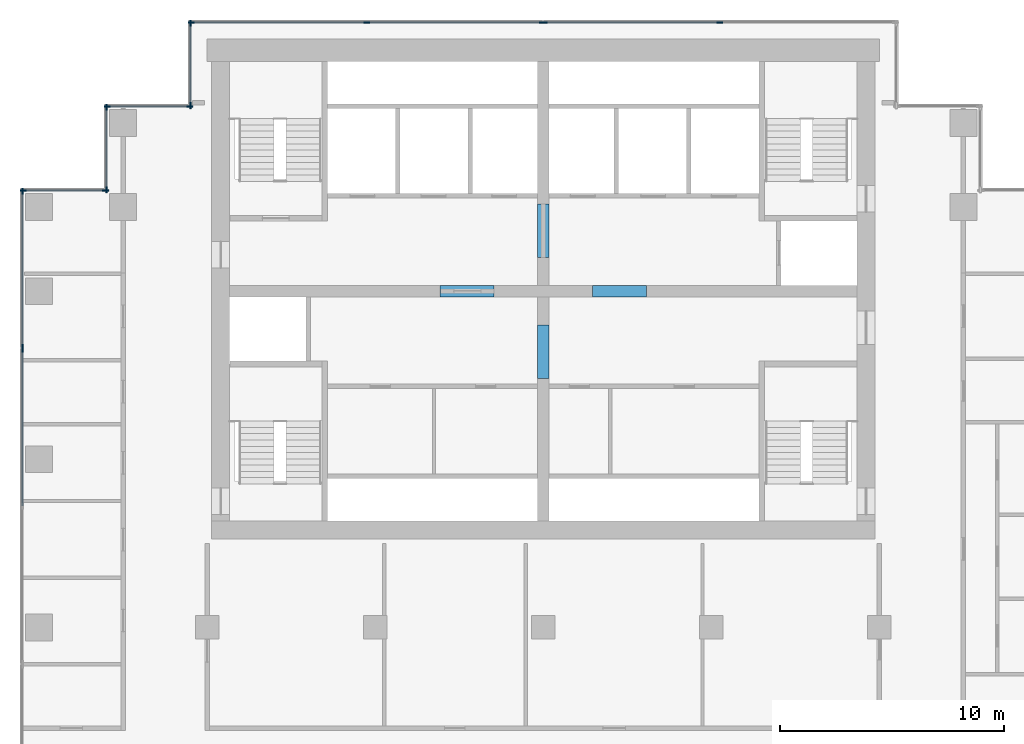
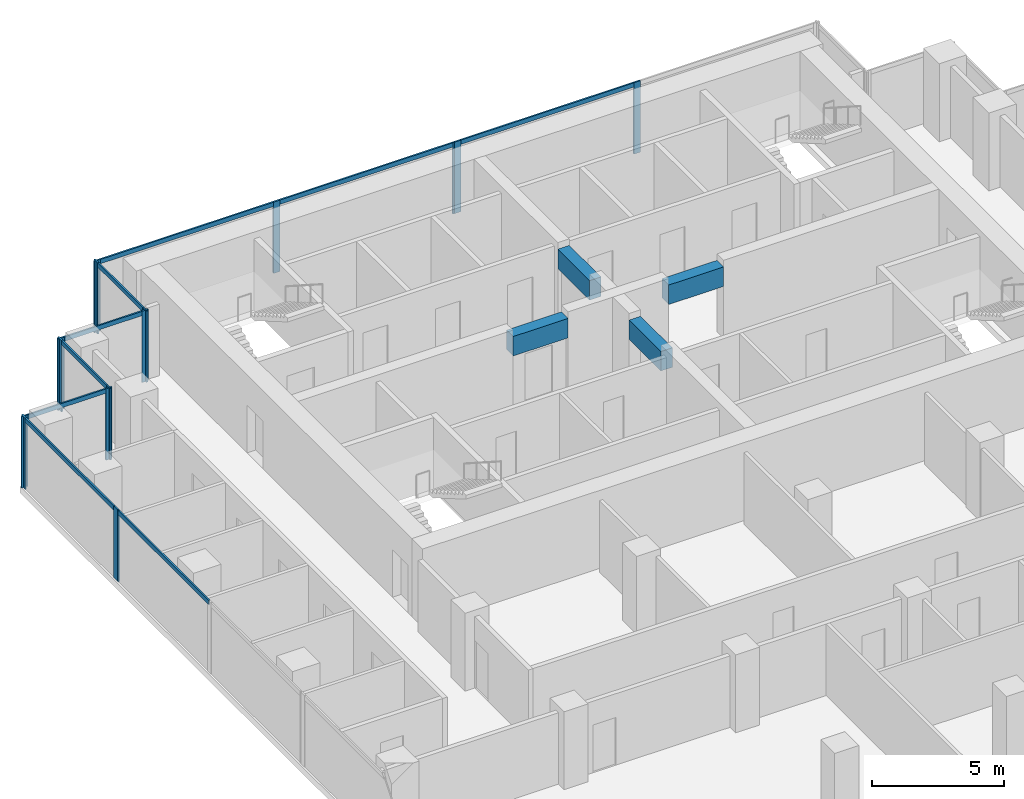
# One storey, part 4 of 10: 25 members, 4 beams, 8 elements without a shape of their own.
"""IFC4 building model written with IfcOpenShell, lengths in metres."""

from ifc_helpers import new_model, si_unit, direction, frame, origin, origin_2d, place, context, subcontext, project, spatial, rectangle, extrude, material, material_profile, profile_set, type_object, element, aggregate, save


model = new_model("IFC4")

# Units and contexts
model_context = context("Model", 3, precision=1e-05, world=origin(), true_north=direction((0.0, 1.0)))
body_context = subcontext(model_context, "Body", "Model", "MODEL_VIEW")
ifc_project = project(units=[si_unit("LENGTHUNIT", "METRE"), si_unit("AREAUNIT", "SQUARE_METRE"), si_unit("VOLUMEUNIT", "CUBIC_METRE"), si_unit("PLANEANGLEUNIT", "RADIAN"), si_unit("MASSUNIT", "GRAM", prefix="KILO")], contexts=[model_context])

# Site, building, storey
site_placement = place(None, origin())
site = spatial("IfcSite", under=ifc_project, at=site_placement, CompositionType="ELEMENT")
building_placement = place(site_placement, origin())
building = spatial("IfcBuilding", under=site, at=building_placement, Name="Pilkhan Gate Tower", CompositionType="ELEMENT")
storey_placement = place(building_placement, frame((0.0, 0.0, 165.699951171875)))
storey = spatial("IfcBuildingStorey", under=building, at=storey_placement, Name="L42", CompositionType="ELEMENT", Elevation=165.699951171875)

# Beams
ifc_material_1 = material(Name="Concrete C60/75", Category="concrete")
ifc_material_profile_1 = material_profile(ifc_material_1, rectangle(XDim=0.5, YDim=0.89990234375, at=origin_2d()), Name="RC 500x900")
ifc_profile_set_1 = profile_set([ifc_material_profile_1], Name="Concrete C60/75")
beam_type = type_object("IfcBeamType", Name="Coupling beam CB90 RC 500x900 C60/75", PredefinedType="LINTEL", material=ifc_profile_set_1)
for number, where, z_axis, x_axis, name in (
    (1, (70.39990234375, 82.5, 2.85009765625), (1.0, 0.0, 0.0), (0.0, 1.0, 0.0), "Coupling beam 1 L42"),
    (2, (77.199951171875, 82.5, 2.85009765625), (1.0, 0.0, 0.0), (0.0, 1.0, 0.0), "Coupling beam 2 L42"),
):
    element("IfcBeam", number, at=place(storey_placement, frame(where, z_axis=z_axis, x_axis=x_axis)), inside=storey, type_object=beam_type, Name=name, PredefinedType="LINTEL", context=body_context, shape_type="SweptSolid", body=[
        extrude(rectangle(XDim=0.5, YDim=0.89990234375, at=origin_2d()), origin(), (0.0, 0.0, 1.0), 2.400146484375),
    ])
for number, where, z_axis, x_axis, name in (
    (3, (75.0, 78.60009765625, 2.85009765625), (0.0, 1.0, 0.0), (-1.0, 0.0, 0.0), "Coupling beam 3 L42"),
    (4, (75.0, 84.0, 2.85009765625), (0.0, 1.0, 0.0), (-1.0, 0.0, 0.0), "Coupling beam 4 L42"),
):
    element("IfcBeam", number, at=place(storey_placement, frame(where, z_axis=z_axis, x_axis=x_axis)), inside=storey, type_object=beam_type, Name=name, PredefinedType="LINTEL", context=body_context, shape_type="SweptSolid", body=[
        extrude(rectangle(XDim=0.5, YDim=0.89990234375, at=origin_2d()), origin(), (0.0, 0.0, 1.0), 2.39990234375),
    ])

# Curtain wall, members
ifc_material_2 = material(Name="Pale anodised aluminium, clear low-iron double glazing", Category="aluminium")
curtain_wall_type = type_object("IfcCurtainWallType", Name="Office unitised curtain wall CW-O1", PredefinedType="USERDEFINED", material=ifc_material_2)
curtain_wall_1_placement = place(storey_placement, origin())
curtain_wall_1 = element("IfcCurtainWall", 5, at=curtain_wall_1_placement, inside=storey, type_object=curtain_wall_type, Name="Office unitised curtain wall CW-O1 L42 N", ObjectType="UNITISED CURTAIN WALL", PredefinedType="USERDEFINED")
ifc_material_3 = material(Name="Pale anodised aluminium", Category="aluminium")
ifc_material_profile_2 = material_profile(ifc_material_3, rectangle(XDim=0.070068359375, YDim=0.27490234375, at=origin_2d()), Name="Mullion 275x70")
ifc_profile_set_2 = profile_set([ifc_material_profile_2], Name="Pale anodised aluminium")
member_type_1 = type_object("IfcMemberType", Name="Mullion CW-O1 275x70", PredefinedType="MULLION", material=ifc_profile_set_2)
member_1_placement = place(storey_placement, frame((59.284912109375, 94.5, 0.0), z_axis=(0.0, 0.0, 1.0), x_axis=(0.0, 1.0, 0.0)))
member_1 = element("IfcMember", 6, at=member_1_placement, type_object=member_type_1, Name="CW-O1 mullion 1", PredefinedType="MULLION", context=body_context, shape_type="SweptSolid", body=[
    extrude(rectangle(XDim=0.070068359375, YDim=0.27490234375, at=origin_2d()), origin(), (0.0, 0.0, 1.0), 3.300048828125),
])
member_2_placement = place(storey_placement, frame((67.125, 94.5, 0.0), z_axis=(0.0, 0.0, 1.0), x_axis=(0.0, 1.0, 0.0)))
member_2 = element("IfcMember", 7, at=member_2_placement, type_object=member_type_1, Name="CW-O1 mullion 2", PredefinedType="MULLION", context=body_context, shape_type="SweptSolid", body=[
    extrude(rectangle(XDim=0.070068359375, YDim=0.27490234375, at=origin_2d()), origin(), (0.0, 0.0, 1.0), 3.300048828125),
])
member_3_placement = place(storey_placement, frame((74.965087890625, 94.5, 0.0), z_axis=(0.0, 0.0, 1.0), x_axis=(0.0, 1.0, 0.0)))
member_3 = element("IfcMember", 8, at=member_3_placement, type_object=member_type_1, Name="CW-O1 mullion 3", PredefinedType="MULLION", context=body_context, shape_type="SweptSolid", body=[
    extrude(rectangle(XDim=0.070068359375, YDim=0.27490234375, at=origin_2d()), origin(), (0.0, 0.0, 1.0), 3.300048828125),
])

curtain_wall_2_placement = place(storey_placement, origin())
curtain_wall_2 = element("IfcCurtainWall", 9, at=curtain_wall_2_placement, inside=storey, type_object=curtain_wall_type, Name="Office unitised curtain wall CW-O1 L42 N", ObjectType="UNITISED CURTAIN WALL", PredefinedType="USERDEFINED")
member_4_placement = place(storey_placement, frame((75.034912109375, 94.5, 0.0), z_axis=(0.0, 0.0, 1.0), x_axis=(0.0, 1.0, 0.0)))
member_4 = element("IfcMember", 10, at=member_4_placement, type_object=member_type_1, Name="CW-O1 mullion 1", PredefinedType="MULLION", context=body_context, shape_type="SweptSolid", body=[
    extrude(rectangle(XDim=0.070068359375, YDim=0.27490234375, at=origin_2d()), origin(), (0.0, 0.0, 1.0), 3.300048828125),
])
member_5_placement = place(storey_placement, frame((82.875, 94.5, 0.0), z_axis=(0.0, 0.0, 1.0), x_axis=(0.0, 1.0, 0.0)))
member_5 = element("IfcMember", 11, at=member_5_placement, type_object=member_type_1, Name="CW-O1 mullion 2", PredefinedType="MULLION", context=body_context, shape_type="SweptSolid", body=[
    extrude(rectangle(XDim=0.070068359375, YDim=0.27490234375, at=origin_2d()), origin(), (0.0, 0.0, 1.0), 3.300048828125),
])

curtain_wall_3_placement = place(storey_placement, origin())
curtain_wall_3 = element("IfcCurtainWall", 12, at=curtain_wall_3_placement, inside=storey, type_object=curtain_wall_type, Name="Office unitised curtain wall CW-O1 L42 W", ObjectType="UNITISED CURTAIN WALL", PredefinedType="USERDEFINED")
member_6_placement = place(storey_placement, frame((59.25, 90.784912109375, 0.0), z_axis=(0.0, 0.0, 1.0), x_axis=(-1.0, 0.0, 0.0)))
member_6 = element("IfcMember", 13, at=member_6_placement, type_object=member_type_1, Name="CW-O1 mullion 1", PredefinedType="MULLION", context=body_context, shape_type="SweptSolid", body=[
    extrude(rectangle(XDim=0.070068359375, YDim=0.27490234375, at=origin_2d()), origin(), (0.0, 0.0, 1.0), 3.300048828125),
])
member_7_placement = place(storey_placement, frame((59.25, 94.465087890625, 0.0), z_axis=(0.0, 0.0, 1.0), x_axis=(-1.0, 0.0, 0.0)))
member_7 = element("IfcMember", 14, at=member_7_placement, type_object=member_type_1, Name="CW-O1 mullion 2", PredefinedType="MULLION", context=body_context, shape_type="SweptSolid", body=[
    extrude(rectangle(XDim=0.070068359375, YDim=0.27490234375, at=origin_2d()), origin(), (0.0, 0.0, 1.0), 3.300048828125),
])

curtain_wall_4_placement = place(storey_placement, origin())
curtain_wall_4 = element("IfcCurtainWall", 15, at=curtain_wall_4_placement, inside=storey, type_object=curtain_wall_type, Name="Office unitised curtain wall CW-O1 L42 N", ObjectType="UNITISED CURTAIN WALL", PredefinedType="USERDEFINED")
member_8_placement = place(storey_placement, frame((55.534912109375, 90.75, 0.0), z_axis=(0.0, 0.0, 1.0), x_axis=(0.0, 1.0, 0.0)))
member_8 = element("IfcMember", 16, at=member_8_placement, type_object=member_type_1, Name="CW-O1 mullion 1", PredefinedType="MULLION", context=body_context, shape_type="SweptSolid", body=[
    extrude(rectangle(XDim=0.070068359375, YDim=0.27490234375, at=origin_2d()), origin(), (0.0, 0.0, 1.0), 3.300048828125),
])
member_9_placement = place(storey_placement, frame((59.215087890625, 90.75, 0.0), z_axis=(0.0, 0.0, 1.0), x_axis=(0.0, 1.0, 0.0)))
member_9 = element("IfcMember", 17, at=member_9_placement, type_object=member_type_1, Name="CW-O1 mullion 2", PredefinedType="MULLION", context=body_context, shape_type="SweptSolid", body=[
    extrude(rectangle(XDim=0.070068359375, YDim=0.27490234375, at=origin_2d()), origin(), (0.0, 0.0, 1.0), 3.300048828125),
])

curtain_wall_5_placement = place(storey_placement, origin())
curtain_wall_5 = element("IfcCurtainWall", 18, at=curtain_wall_5_placement, inside=storey, type_object=curtain_wall_type, Name="Office unitised curtain wall CW-O1 L42 W", ObjectType="UNITISED CURTAIN WALL", PredefinedType="USERDEFINED")
member_10_placement = place(storey_placement, frame((55.5, 87.034912109375, 0.0), z_axis=(0.0, 0.0, 1.0), x_axis=(-1.0, 0.0, 0.0)))
member_10 = element("IfcMember", 19, at=member_10_placement, type_object=member_type_1, Name="CW-O1 mullion 1", PredefinedType="MULLION", context=body_context, shape_type="SweptSolid", body=[
    extrude(rectangle(XDim=0.070068359375, YDim=0.27490234375, at=origin_2d()), origin(), (0.0, 0.0, 1.0), 3.300048828125),
])
member_11_placement = place(storey_placement, frame((55.5, 90.715087890625, 0.0), z_axis=(0.0, 0.0, 1.0), x_axis=(-1.0, 0.0, 0.0)))
member_11 = element("IfcMember", 20, at=member_11_placement, type_object=member_type_1, Name="CW-O1 mullion 2", PredefinedType="MULLION", context=body_context, shape_type="SweptSolid", body=[
    extrude(rectangle(XDim=0.070068359375, YDim=0.27490234375, at=origin_2d()), origin(), (0.0, 0.0, 1.0), 3.300048828125),
])

curtain_wall_6_placement = place(storey_placement, origin())
curtain_wall_6 = element("IfcCurtainWall", 21, at=curtain_wall_6_placement, inside=storey, type_object=curtain_wall_type, Name="Office unitised curtain wall CW-O1 L42 N", ObjectType="UNITISED CURTAIN WALL", PredefinedType="USERDEFINED")
member_12_placement = place(storey_placement, frame((51.784912109375, 87.0, 0.0), z_axis=(0.0, 0.0, 1.0), x_axis=(0.0, 1.0, 0.0)))
member_12 = element("IfcMember", 22, at=member_12_placement, type_object=member_type_1, Name="CW-O1 mullion 1", PredefinedType="MULLION", context=body_context, shape_type="SweptSolid", body=[
    extrude(rectangle(XDim=0.070068359375, YDim=0.27490234375, at=origin_2d()), origin(), (0.0, 0.0, 1.0), 3.300048828125),
])
member_13_placement = place(storey_placement, frame((55.465087890625, 87.0, 0.0), z_axis=(0.0, 0.0, 1.0), x_axis=(0.0, 1.0, 0.0)))
member_13 = element("IfcMember", 23, at=member_13_placement, type_object=member_type_1, Name="CW-O1 mullion 2", PredefinedType="MULLION", context=body_context, shape_type="SweptSolid", body=[
    extrude(rectangle(XDim=0.070068359375, YDim=0.27490234375, at=origin_2d()), origin(), (0.0, 0.0, 1.0), 3.300048828125),
])

# Curtain wall, member
curtain_wall_7_placement = place(storey_placement, origin())
curtain_wall_7 = element("IfcCurtainWall", 24, at=curtain_wall_7_placement, inside=storey, type_object=curtain_wall_type, Name="Office unitised curtain wall CW-O1 L42 W", ObjectType="UNITISED CURTAIN WALL", PredefinedType="USERDEFINED")
member_14_placement = place(storey_placement, frame((51.75, 79.9150390625, 0.0), z_axis=(0.0, 0.0, 1.0), x_axis=(-1.0, 0.0, 0.0)))
member_14 = element("IfcMember", 25, at=member_14_placement, type_object=member_type_1, Name="CW-O1 mullion 3", PredefinedType="MULLION", context=body_context, shape_type="SweptSolid", body=[
    extrude(rectangle(XDim=0.070068359375, YDim=0.27490234375, at=origin_2d()), origin(), (0.0, 0.0, 1.0), 3.300048828125),
])

# Curtain wall, members
curtain_wall_8_placement = place(storey_placement, origin())
curtain_wall_8 = element("IfcCurtainWall", 26, at=curtain_wall_8_placement, inside=storey, type_object=curtain_wall_type, Name="Office unitised curtain wall CW-O1 L42 W", ObjectType="UNITISED CURTAIN WALL", PredefinedType="USERDEFINED")
member_15_placement = place(storey_placement, frame((51.75, 79.985107421875, 0.0), z_axis=(0.0, 0.0, 1.0), x_axis=(-1.0, 0.0, 0.0)))
member_15 = element("IfcMember", 27, at=member_15_placement, type_object=member_type_1, Name="CW-O1 mullion 1", PredefinedType="MULLION", context=body_context, shape_type="SweptSolid", body=[
    extrude(rectangle(XDim=0.070068359375, YDim=0.27490234375, at=origin_2d()), origin(), (0.0, 0.0, 1.0), 3.300048828125),
])
member_16_placement = place(storey_placement, frame((51.75, 86.965087890625, 0.0), z_axis=(0.0, 0.0, 1.0), x_axis=(-1.0, 0.0, 0.0)))
member_16 = element("IfcMember", 28, at=member_16_placement, type_object=member_type_1, Name="CW-O1 mullion 2", PredefinedType="MULLION", context=body_context, shape_type="SweptSolid", body=[
    extrude(rectangle(XDim=0.070068359375, YDim=0.27490234375, at=origin_2d()), origin(), (0.0, 0.0, 1.0), 3.300048828125),
])

# Member
ifc_material_profile_3 = material_profile(ifc_material_3, rectangle(XDim=0.070068359375, YDim=0.199951171875, at=origin_2d()), Name="Transom 200x70")
ifc_profile_set_3 = profile_set([ifc_material_profile_3], Name="Pale anodised aluminium")
member_type_2 = type_object("IfcMemberType", Name="Transom CW-O1 200x70", PredefinedType="USERDEFINED", material=ifc_profile_set_3)
member_17_placement = place(storey_placement, frame((59.320068359375, 94.5, 3.199951171875), z_axis=(1.0, 0.0, 0.0), x_axis=(0.0, 1.0, 0.0)))
member_17 = element("IfcMember", 29, at=member_17_placement, type_object=member_type_2, Name="CW-O1 transom 1", ObjectType="TRANSOM", PredefinedType="USERDEFINED", context=body_context, shape_type="SweptSolid", body=[
    extrude(rectangle(XDim=0.070068359375, YDim=0.199951171875, at=origin_2d()), origin(), (0.0, 0.0, 1.0), 7.77001953125),
])

member_18_placement = place(storey_placement, frame((67.159912109375, 94.5, 3.199951171875), z_axis=(1.0, 0.0, 0.0), x_axis=(0.0, 1.0, 0.0)))
member_18 = element("IfcMember", 30, at=member_18_placement, type_object=member_type_2, Name="CW-O1 transom 2", ObjectType="TRANSOM", PredefinedType="USERDEFINED", context=body_context, shape_type="SweptSolid", body=[
    extrude(rectangle(XDim=0.070068359375, YDim=0.199951171875, at=origin_2d()), origin(), (0.0, 0.0, 1.0), 7.77001953125),
])

aggregate(curtain_wall_1, [member_1, member_2, member_3, member_17, member_18])

member_19_placement = place(storey_placement, frame((75.070068359375, 94.5, 3.199951171875), z_axis=(1.0, 0.0, 0.0), x_axis=(0.0, 1.0, 0.0)))
member_19 = element("IfcMember", 31, at=member_19_placement, type_object=member_type_2, Name="CW-O1 transom 1", ObjectType="TRANSOM", PredefinedType="USERDEFINED", context=body_context, shape_type="SweptSolid", body=[
    extrude(rectangle(XDim=0.070068359375, YDim=0.199951171875, at=origin_2d()), origin(), (0.0, 0.0, 1.0), 7.77001953125),
])

aggregate(curtain_wall_2, [member_4, member_5, member_19])

member_20_placement = place(storey_placement, frame((59.25, 90.820068359375, 3.199951171875), z_axis=(0.0, 1.0, 0.0), x_axis=(-1.0, 0.0, 0.0)))
member_20 = element("IfcMember", 32, at=member_20_placement, type_object=member_type_2, Name="CW-O1 transom 1", ObjectType="TRANSOM", PredefinedType="USERDEFINED", context=body_context, shape_type="SweptSolid", body=[
    extrude(rectangle(XDim=0.070068359375, YDim=0.199951171875, at=origin_2d()), origin(), (0.0, 0.0, 1.0), 3.60986328125),
])

aggregate(curtain_wall_3, [member_6, member_7, member_20])

member_21_placement = place(storey_placement, frame((55.570068359375, 90.75, 3.199951171875), z_axis=(1.0, 0.0, 0.0), x_axis=(0.0, 1.0, 0.0)))
member_21 = element("IfcMember", 33, at=member_21_placement, type_object=member_type_2, Name="CW-O1 transom 1", ObjectType="TRANSOM", PredefinedType="USERDEFINED", context=body_context, shape_type="SweptSolid", body=[
    extrude(rectangle(XDim=0.070068359375, YDim=0.199951171875, at=origin_2d()), origin(), (0.0, 0.0, 1.0), 3.60986328125),
])

aggregate(curtain_wall_4, [member_8, member_9, member_21])

member_22_placement = place(storey_placement, frame((55.5, 87.070068359375, 3.199951171875), z_axis=(0.0, 1.0, 0.0), x_axis=(-1.0, 0.0, 0.0)))
member_22 = element("IfcMember", 34, at=member_22_placement, type_object=member_type_2, Name="CW-O1 transom 1", ObjectType="TRANSOM", PredefinedType="USERDEFINED", context=body_context, shape_type="SweptSolid", body=[
    extrude(rectangle(XDim=0.070068359375, YDim=0.199951171875, at=origin_2d()), origin(), (0.0, 0.0, 1.0), 3.60986328125),
])

aggregate(curtain_wall_5, [member_10, member_11, member_22])

member_23_placement = place(storey_placement, frame((51.820068359375, 87.0, 3.199951171875), z_axis=(1.0, 0.0, 0.0), x_axis=(0.0, 1.0, 0.0)))
member_23 = element("IfcMember", 35, at=member_23_placement, type_object=member_type_2, Name="CW-O1 transom 1", ObjectType="TRANSOM", PredefinedType="USERDEFINED", context=body_context, shape_type="SweptSolid", body=[
    extrude(rectangle(XDim=0.070068359375, YDim=0.199951171875, at=origin_2d()), origin(), (0.0, 0.0, 1.0), 3.60986328125),
])

aggregate(curtain_wall_6, [member_12, member_13, member_23])

member_24_placement = place(storey_placement, frame((51.75, 72.93505859375, 3.199951171875), z_axis=(0.0, 1.0, 0.0), x_axis=(-1.0, 0.0, 0.0)))
member_24 = element("IfcMember", 36, at=member_24_placement, type_object=member_type_2, Name="CW-O1 transom 2", ObjectType="TRANSOM", PredefinedType="USERDEFINED", context=body_context, shape_type="SweptSolid", body=[
    extrude(rectangle(XDim=0.070068359375, YDim=0.199951171875, at=origin_2d()), origin(), (0.0, 0.0, 1.0), 6.94482421875),
])

aggregate(curtain_wall_7, [member_14, member_24])

member_25_placement = place(storey_placement, frame((51.75, 80.02001953125, 3.199951171875), z_axis=(0.0, 1.0, 0.0), x_axis=(-1.0, 0.0, 0.0)))
member_25 = element("IfcMember", 37, at=member_25_placement, type_object=member_type_2, Name="CW-O1 transom 1", ObjectType="TRANSOM", PredefinedType="USERDEFINED", context=body_context, shape_type="SweptSolid", body=[
    extrude(rectangle(XDim=0.070068359375, YDim=0.199951171875, at=origin_2d()), origin(), (0.0, 0.0, 1.0), 6.909912109375),
])

aggregate(curtain_wall_8, [member_15, member_16, member_25])

save(model, "model.ifc")
